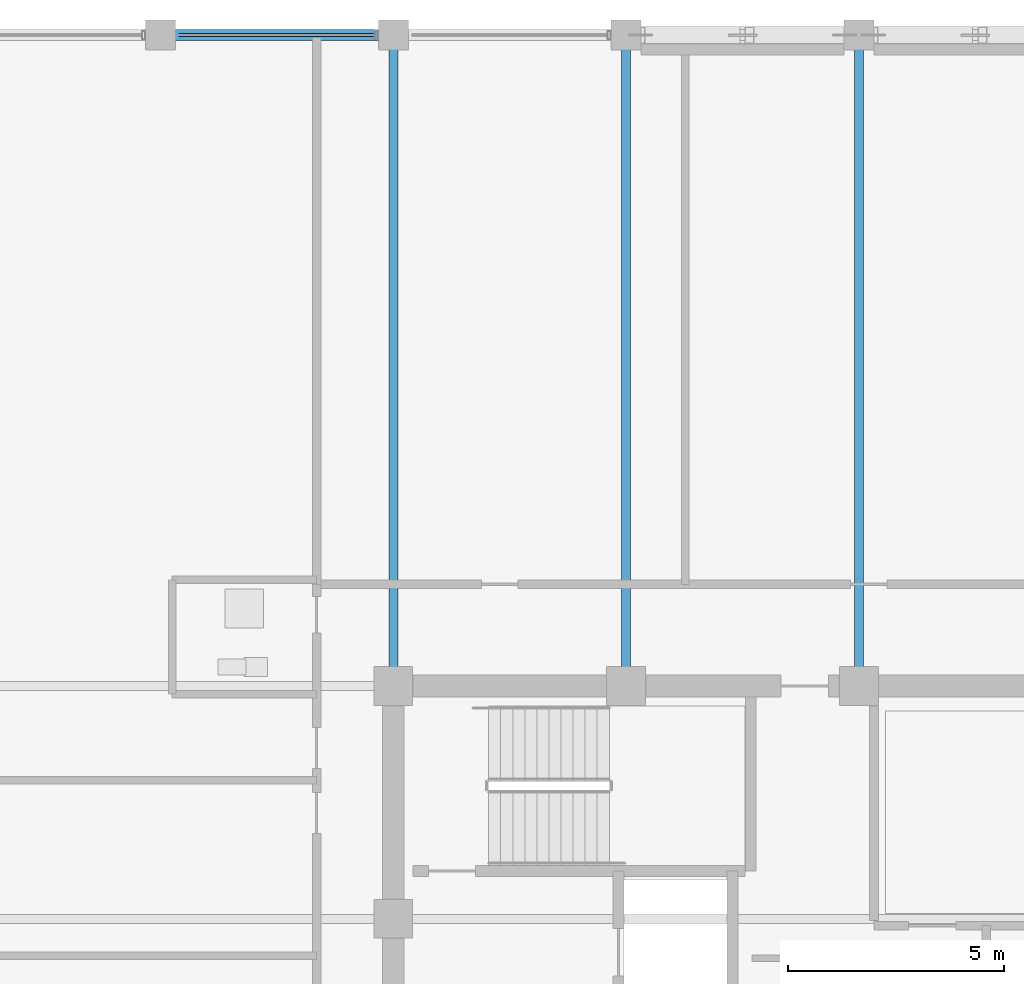
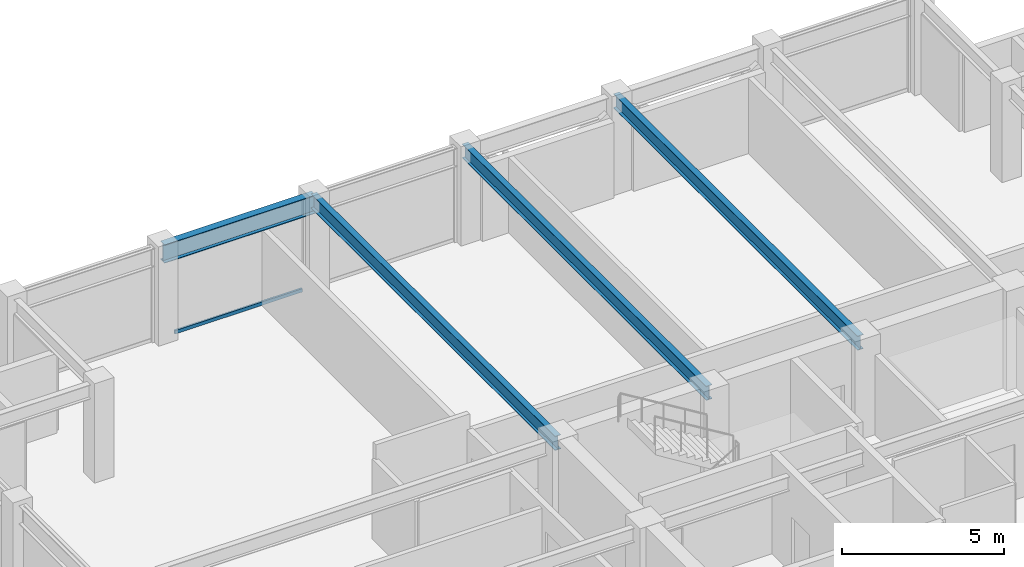
# One storey, part 16 of 31: 4 beams, 1 member, 1 element without a shape of its own.
"""IFC4 building model written with IfcOpenShell, lengths in metres."""

from ifc_helpers import new_model, si_unit, direction, frame, origin, origin_2d, place, context, subcontext, project, spatial, hollow_rectangle, i_section, extrude, material, layer, layer_set, material_profile, profile_set, type_object, element, aggregate, save


model = new_model("IFC4")

# Units and contexts
model_context = context("Model", 3, precision=1e-05, world=origin(), true_north=direction((0.0, 1.0)))
body_context = subcontext(model_context, "Body", "Model", "MODEL_VIEW")
ifc_project = project(units=[si_unit("LENGTHUNIT", "METRE"), si_unit("AREAUNIT", "SQUARE_METRE"), si_unit("VOLUMEUNIT", "CUBIC_METRE"), si_unit("PLANEANGLEUNIT", "RADIAN"), si_unit("MASSUNIT", "GRAM", prefix="KILO")], contexts=[model_context])

# Site, building, storey
site_placement = place(None, origin())
site = spatial("IfcSite", under=ifc_project, at=site_placement, CompositionType="ELEMENT")
building_placement = place(site_placement, origin())
building = spatial("IfcBuilding", under=site, at=building_placement, Name="Surkhivell Harbour Commons", CompositionType="ELEMENT")
storey_placement = place(building_placement, frame((0.0, 0.0, 262.5)))
storey = spatial("IfcBuildingStorey", under=building, at=storey_placement, Name="L68", CompositionType="ELEMENT", Elevation=262.5)

# Beams
ifc_material_1 = material(Name="Steel S355", Category="steel")
ifc_material_profile_1 = material_profile(ifc_material_1, i_section(OverallWidth=0.2099609375, OverallDepth=0.537109375, WebThickness=0.0107421875, FlangeThickness=0.017333984375, at=origin_2d()), Name="UB533x210x101")
ifc_profile_set_1 = profile_set([ifc_material_profile_1], Name="Steel S355")
beam_type_1 = type_object("IfcBeamType", Name="BM-GRD-533B", PredefinedType="BEAM", material=ifc_profile_set_1)
for number, where, z_axis, x_axis, name in (
    (1, (-10.800048828125, 10.800048828125, 3.301513671875), (0.0, 1.0, 0.0), (-1.0, 0.0, 0.0), "L68 Floor Girder (-10.8,10.8)"),
    (2, (-5.39990234375, 10.800048828125, 3.301513671875), (0.0, 1.0, 0.0), (-1.0, 0.0, 0.0), "L68 Floor Girder (-5.4,10.8)"),
    (3, (0.0, 10.800048828125, 3.301513671875), (0.0, 1.0, 0.0), (-1.0, 0.0, 0.0), "L68 Floor Girder (0.0,10.8)"),
):
    element("IfcBeam", number, at=place(storey_placement, frame(where, z_axis=z_axis, x_axis=x_axis)), inside=storey, type_object=beam_type_1, Name=name, PredefinedType="BEAM", context=body_context, shape_type="SweptSolid", body=[
        extrude(i_section(OverallWidth=0.2099609375, OverallDepth=0.537109375, WebThickness=0.0107421875, FlangeThickness=0.017333984375, at=origin_2d()), origin(), (0.0, 0.0, 1.0), 15.099853515625),
    ])
ifc_material_profile_2 = material_profile(ifc_material_1, i_section(OverallWidth=0.256103515625, OverallDepth=0.693115234375, WebThickness=0.014404296875, FlangeThickness=0.023681640625, at=origin_2d()), Name="UB686x254x170")
ifc_profile_set_2 = profile_set([ifc_material_profile_2], Name="Steel S355")
beam_type_2 = type_object("IfcBeamType", Name="BM-SPN-686", PredefinedType="SPANDREL", material=ifc_profile_set_2)
beam_placement = place(storey_placement, frame((-16.199951171875, 25.89990234375, 3.223388671875), z_axis=(1.0, 0.0, 0.0), x_axis=(0.0, 1.0, 0.0)))
element("IfcBeam", 4, at=beam_placement, inside=storey, type_object=beam_type_2, Name="L68 Tube Spandrel (-16.2,25.9)", PredefinedType="SPANDREL", context=body_context, shape_type="SweptSolid", body=[
    extrude(i_section(OverallWidth=0.256103515625, OverallDepth=0.693115234375, WebThickness=0.014404296875, FlangeThickness=0.023681640625, at=origin_2d()), origin(), (0.0, 0.0, 1.0), 5.39990234375),
])

# Curtain wall, member
ifc_material_2 = material(Name="Anodised pale-metal aluminium and insulated glazing", Category="aluminium")
ifc_layer = layer(ifc_material_2, 0.175048828125)
ifc_layer_set = layer_set([ifc_layer], Name="Anodised pale-metal aluminium and insulated glazing")
curtain_wall_type = type_object("IfcCurtainWallType", Name="CW-SYS-Z4", PredefinedType="NOTDEFINED", material=ifc_layer_set)
curtain_wall_placement = place(storey_placement, origin())
curtain_wall = element("IfcCurtainWall", 5, at=curtain_wall_placement, inside=storey, type_object=curtain_wall_type, Name="L68 Curtain Wall CW-L68-E07S2", PredefinedType="NOTDEFINED")
ifc_material_3 = material(Name="Champagne anodised aluminium alloy 6063-T6", Category="aluminium")
ifc_material_profile_3 = material_profile(ifc_material_3, hollow_rectangle(XDim=0.070068359375, YDim=0.1298828125, WallThickness=0.00341796875, at=origin_2d()), Name="ALU-TRAN-70x130")
ifc_profile_set_3 = profile_set([ifc_material_profile_3], Name="Champagne anodised aluminium alloy 6063-T6")
member_type = type_object("IfcMemberType", Name="CWT-130", PredefinedType="USERDEFINED", material=ifc_profile_set_3)
member_placement = place(storey_placement, frame((-11.22705078125, 25.89990234375, 0.06494140625), z_axis=(-1.0, 0.0, 0.0), x_axis=(0.0, -1.0, 0.0)))
member = element("IfcMember", 6, at=member_placement, type_object=member_type, Name="CW-Z4 transom 2.1", ObjectType="TRANSOM", PredefinedType="USERDEFINED", context=body_context, shape_type="SweptSolid", body=[
    extrude(hollow_rectangle(XDim=0.070068359375, YDim=0.1298828125, WallThickness=0.00341796875, at=origin_2d()), origin(), (0.0, 0.0, 1.0), 4.5458984375),
])
aggregate(curtain_wall, [member])

save(model, "model.ifc")
